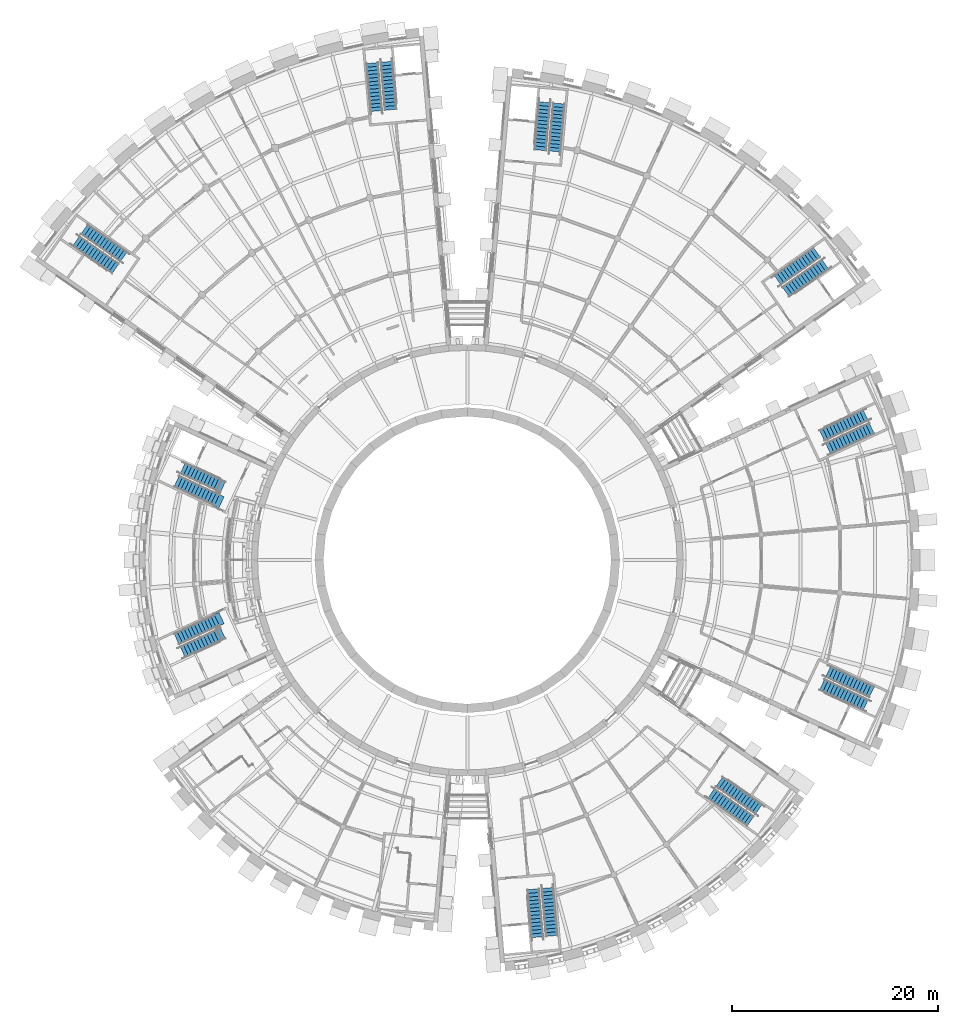
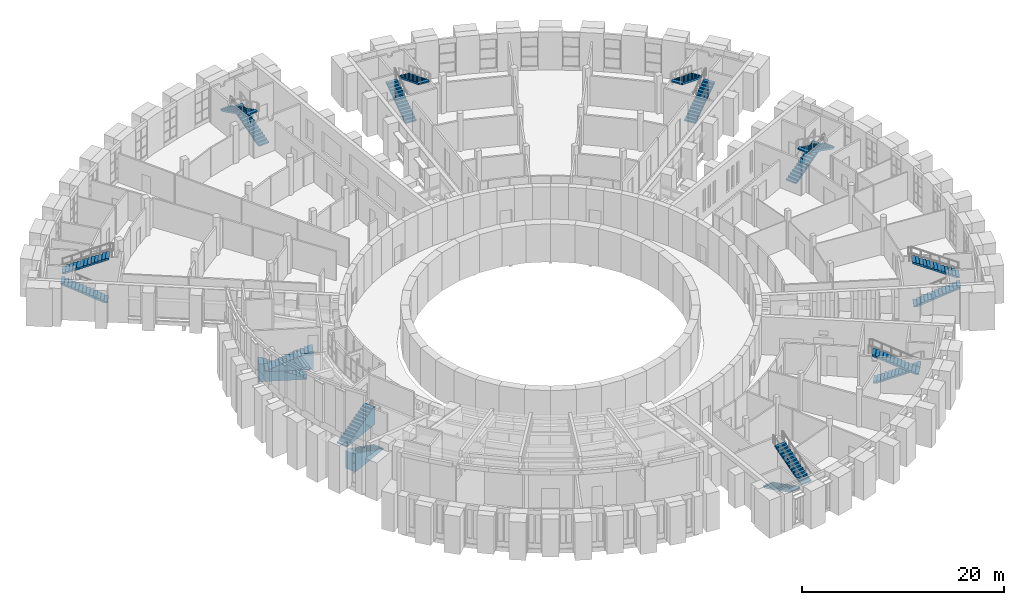
# One storey, part 50 of 66: 20 stair flights, 10 elements without a shape of their own.
"""IFC4 building model written with IfcOpenShell, lengths in metres."""

import ifcopenshell
import ifcopenshell.guid

model = None  # the IFC model being written
_history = None  # IfcOwnerHistory: only IFC2X3 demands one
_inside = {}  # id of a spatial element -> (the spatial element, [elements in it])
_under = {}  # id of a project, library or spatial element -> (it, [spatial elements below it])
_declared = {}  # id of a project -> (the project, [libraries it declares])
_typed = {}  # id of a type object -> (the type object, [elements of that type])
_made_of = {}  # id of a material, layer set ... -> (it, [elements and type objects made of it])


def new_model(schema):
    """Start an empty IFC model of exactly this schema.

    Asked for "IFC4X3", IfcOpenShell would pick the latest addendum, in which some entities
    have other attributes; the version numbers below select the first issue.
    IFC2X3 requires an IfcOwnerHistory on every rooted entity: one is made here for all.
    """
    global model, _history
    if schema == "IFC4X3":
        model = ifcopenshell.file(schema_version=(4, 3, 0, 0))
    else:
        model = ifcopenshell.file(schema=schema)
    _inside.clear()
    _under.clear()
    _declared.clear()
    _typed.clear()
    _made_of.clear()
    _history = None
    if model.schema == "IFC2X3":
        org = make("IfcOrganization", Name="unknown")
        user = make(
            "IfcPersonAndOrganization",
            ThePerson=make("IfcPerson", FamilyName="unknown"),
            TheOrganization=org,
        )
        app = make(
            "IfcApplication",
            ApplicationDeveloper=org,
            Version="unknown",
            ApplicationFullName="unknown",
            ApplicationIdentifier="unknown",
        )
        _history = make(
            "IfcOwnerHistory",
            OwningUser=user,
            OwningApplication=app,
            ChangeAction="ADDED",
            CreationDate=0,
        )
    return model


def make(cls, **values):
    """One entity of the class cls with the attributes given. An attribute that is None is left unset."""
    return model.create_entity(
        cls, **{name: value for name, value in values.items() if value is not None}
    )


def rooted(cls, **values):
    """An entity with a GlobalId (a new one), such as an element, a storey or a relation."""
    return make(cls, GlobalId=ifcopenshell.guid.new(), OwnerHistory=_history, **values)


def si_unit(unit_type, name, prefix=None):
    """IfcSIUnit, for example si_unit("LENGTHUNIT", "METRE", prefix="MILLI")."""
    return make("IfcSIUnit", UnitType=unit_type, Prefix=prefix, Name=name)


def assignment(units):
    """IfcUnitAssignment: the units of a project."""
    return None if units is None else make("IfcUnitAssignment", Units=units)


def point(xyz):
    """IfcCartesianPoint."""
    return None if xyz is None else make("IfcCartesianPoint", Coordinates=xyz)


def direction(xyz):
    """IfcDirection."""
    return None if xyz is None else make("IfcDirection", DirectionRatios=xyz)


def frame(location, z_axis=None, x_axis=None):
    """IfcAxis2Placement3D, a coordinate frame: its origin and axes. An axis left out is left unset."""
    return make(
        "IfcAxis2Placement3D",
        Location=point(location),
        Axis=direction(z_axis),
        RefDirection=direction(x_axis),
    )


def origin():
    """The frame at (0, 0, 0) with its axes left unset."""
    return frame((0.0, 0.0, 0.0))


def place(relative_to, where):
    """IfcLocalPlacement: puts the frame where relative to a parent placement (None: the world)."""
    return make(
        "IfcLocalPlacement", PlacementRelTo=relative_to, RelativePlacement=where
    )


def context(
    kind, dimensions, precision=None, world=None, true_north=None, identifier=None
):
    """IfcGeometricRepresentationContext, for example the 3D "Model" context."""
    return make(
        "IfcGeometricRepresentationContext",
        ContextIdentifier=identifier,
        ContextType=kind,
        CoordinateSpaceDimension=dimensions,
        Precision=precision,
        WorldCoordinateSystem=world,
        TrueNorth=true_north,
    )


def subcontext(parent, identifier, kind, view, scale=None):
    """IfcGeometricRepresentationSubContext, for example "Body" below "Model"."""
    return make(
        "IfcGeometricRepresentationSubContext",
        ContextIdentifier=identifier,
        ContextType=kind,
        ParentContext=parent,
        TargetScale=scale,
        TargetView=view,
    )


def project(units=None, contexts=None):
    """IfcProject with its units and contexts."""
    return rooted(
        "IfcProject",
        Name="project",
        RepresentationContexts=contexts,
        UnitsInContext=assignment(units),
    )


def spatial(cls, under=None, at=None, **own):
    """A site, building, storey or space (cls), placed at a placement, below another one or the project."""
    s = rooted(cls, ObjectPlacement=at, **own)
    if under is not None:
        _under.setdefault(under.id(), (under, []))[1].append(s)
    return s


def polyline(points):
    """IfcPolyline through the points."""
    return make("IfcPolyline", Points=[point(p) for p in points])


def outline(outer, holes=None, kind="AREA"):
    """IfcArbitraryClosedProfileDef: a profile drawn as a closed curve; with holes, ...WithVoids."""
    if holes is None:
        return make("IfcArbitraryClosedProfileDef", ProfileType=kind, OuterCurve=outer)
    return make(
        "IfcArbitraryProfileDefWithVoids",
        ProfileType=kind,
        OuterCurve=outer,
        InnerCurves=holes,
    )


def extrude(swept, where, along, depth):
    """IfcExtrudedAreaSolid: the profile swept, set in the frame where, extruded along a direction by depth."""
    return make(
        "IfcExtrudedAreaSolid",
        SweptArea=swept,
        Position=where,
        ExtrudedDirection=direction(along),
        Depth=depth,
    )


def shape(context_of_items, identifier, shape_type, items):
    """IfcShapeRepresentation: the items that make up one representation, for example the "Body"."""
    return make(
        "IfcShapeRepresentation",
        ContextOfItems=context_of_items,
        RepresentationIdentifier=identifier,
        RepresentationType=shape_type,
        Items=items,
    )


def material(Name=None, Category=None):
    """IfcMaterial."""
    return make("IfcMaterial", Name=Name, Category=Category)


def made_of(thing, what):
    """Note that an element or type object is made of a material, layer set ...; save() writes the relation."""
    if what is not None:
        _made_of.setdefault(what.id(), (what, []))[1].append(thing)
    return thing


def type_object(cls, material=None, **own):
    """A type object (cls), such as IfcWallType, which elements share."""
    return made_of(rooted(cls, **own), material)


def element(
    cls,
    number,
    at=None,
    inside=None,
    cuts=None,
    type_object=None,
    material=None,
    context=None,
    identifier="Body",
    shape_type=None,
    held_by="IfcProductDefinitionShape",
    body=None,
    shapes=None,
    **own,
):
    """One element of the class cls, such as IfcWall. Its Tag is "e" and its number.

    at: its placement. inside: the storey or other place that contains it. cuts: it is an
    opening in that element (IfcRelVoidsElement). A single representation is given by context,
    identifier, shape_type and body (its items); several are given by shapes. held_by: the class
    of the entity that holds the representations. save() writes the other relations.
    """
    e = rooted(cls, Tag="e%d" % number, ObjectPlacement=at, **own)
    if body is not None:
        shapes = [shape(context, identifier, shape_type, body)]
    if shapes is not None:
        e.Representation = make(held_by, Representations=shapes)
    if inside is not None:
        _inside.setdefault(inside.id(), (inside, []))[1].append(e)
    if cuts is not None:
        rooted(
            "IfcRelVoidsElement", RelatingBuildingElement=cuts, RelatedOpeningElement=e
        )
    if type_object is not None:
        _typed.setdefault(type_object.id(), (type_object, []))[1].append(e)
    return made_of(e, material)


def aggregate(whole, parts):
    """IfcRelAggregates: a whole, such as a stair, and the parts it consists of."""
    return rooted("IfcRelAggregates", RelatingObject=whole, RelatedObjects=parts)


def save(model, path):
    """Write the relations noted so far, then the file.

    IfcRelAggregates (storeys below a building ...), IfcRelContainedInSpatialStructure (elements
    in a storey), IfcRelDefinesByType, IfcRelAssociatesMaterial and IfcRelDeclares: one each for
    every whole, place, type object, material and project.
    """
    for whole, parts in _under.values():
        aggregate(whole, parts)
    for where, things in _inside.values():
        rooted(
            "IfcRelContainedInSpatialStructure",
            RelatedElements=things,
            RelatingStructure=where,
        )
    for kind, things in _typed.values():
        rooted("IfcRelDefinesByType", RelatedObjects=things, RelatingType=kind)
    for what, things in _made_of.values():
        rooted("IfcRelAssociatesMaterial", RelatedObjects=things, RelatingMaterial=what)
    for by, libraries in _declared.values():
        rooted("IfcRelDeclares", RelatingContext=by, RelatedDefinitions=libraries)
    model.write(path)


model = new_model("IFC4")

# Units and contexts
model_context = context("Model", 3, precision=1e-05, world=origin(), true_north=direction((0.0, 1.0)))
body_context = subcontext(model_context, "Body", "Model", "MODEL_VIEW")
ifc_project = project(units=[si_unit("LENGTHUNIT", "METRE"), si_unit("AREAUNIT", "SQUARE_METRE"), si_unit("VOLUMEUNIT", "CUBIC_METRE"), si_unit("PLANEANGLEUNIT", "RADIAN"), si_unit("MASSUNIT", "GRAM", prefix="KILO")], contexts=[model_context])

# Site, building, storey
site_placement = place(None, origin())
site = spatial("IfcSite", under=ifc_project, at=site_placement, CompositionType="ELEMENT")
building_placement = place(site_placement, origin())
building = spatial("IfcBuilding", under=site, at=building_placement, Name="Volute Hill Aquarium", CompositionType="ELEMENT")
storey_placement = place(building_placement, frame((0.0, 0.0, 4.60009765625)))
storey = spatial("IfcBuildingStorey", under=building, at=storey_placement, Name="L02", CompositionType="ELEMENT", Elevation=4.60009765625)

# Stair, stair flights
ifc_material_1 = material(Name="Concrete C35/45", Category="concrete")
stair_type = type_object("IfcStairType", Name="Stair C35/45", PredefinedType="HALF_TURN_STAIR", material=ifc_material_1)
stair_1_placement = place(storey_placement, origin())
stair_1 = element("IfcStair", 1, at=stair_1_placement, inside=storey, type_object=stair_type, Name="ST/S1-A/L02", PredefinedType="HALF_TURN_STAIR")
ifc_material_2 = material(Name="Concrete C35/45", Category="concrete")
stair_flight_type = type_object("IfcStairFlightType", Name="Stair flight C35/45", PredefinedType="STRAIGHT", material=ifc_material_2)
stair_flight_1_placement = place(storey_placement, frame((-23.771240234375, 7.112548828125, 0.0), z_axis=(0.0, 0.0, 1.0), x_axis=(-0.906300859523, 0.422633117524, 0.0)))
stair_flight_1 = element("IfcStairFlight", 2, at=stair_flight_1_placement, type_object=stair_flight_type, Name="ST-S1-A-02 flight 1", PredefinedType="STRAIGHT", context=body_context, shape_type="SweptSolid", body=[
    extrude(outline(polyline([(0.0, 0.0), (4.820068359375, 0.0), (4.820068359375, 2.159912109375), (4.320068359375, 2.159912109375), (4.320068359375, 1.99365234375), (3.9599609375, 1.99365234375), (3.9599609375, 1.82763671875), (3.60009765625, 1.82763671875), (3.60009765625, 1.661376953125), (3.239990234375, 1.661376953125), (3.239990234375, 1.495361328125), (2.8798828125, 1.495361328125), (2.8798828125, 1.3291015625), (2.52001953125, 1.3291015625), (2.52001953125, 1.1630859375), (2.159912109375, 1.1630859375), (2.159912109375, 0.996826171875), (1.800048828125, 0.996826171875), (1.800048828125, 0.830810546875), (1.43994140625, 0.830810546875), (1.43994140625, 0.66455078125), (1.080078125, 0.66455078125), (1.080078125, 0.498291015625), (0.719970703125, 0.498291015625), (0.719970703125, 0.332275390625), (0.360107421875, 0.332275390625), (0.360107421875, 0.166015625), (0.0, 0.166015625), (0.0, 0.0), (0.0, 0.0)])), frame((0.0, 0.60009765625, 0.0), z_axis=(0.0, -1.0, 0.0), x_axis=(1.0, 0.0, 0.0)), (0.0, 0.0, 1.0), 1.199951171875),
])
stair_flight_2_placement = place(storey_placement, frame((-28.2783203125, 7.66943359375, 2.159912109375), z_axis=(0.0, 0.0, 1.0), x_axis=(0.906300859523, -0.422633117524, 0.0)))
stair_flight_2 = element("IfcStairFlight", 3, at=stair_flight_2_placement, type_object=stair_flight_type, Name="ST-S1-A-02 flight 2", PredefinedType="STRAIGHT", context=body_context, shape_type="SweptSolid", body=[
    extrude(outline(polyline([(0.0, 0.0), (4.820068359375, 0.0), (4.820068359375, 2.159912109375), (4.320068359375, 2.159912109375), (4.320068359375, 1.993896484375), (3.9599609375, 1.993896484375), (3.9599609375, 1.82763671875), (3.60009765625, 1.82763671875), (3.60009765625, 1.661376953125), (3.239990234375, 1.661376953125), (3.239990234375, 1.495361328125), (2.8798828125, 1.495361328125), (2.8798828125, 1.3291015625), (2.52001953125, 1.3291015625), (2.52001953125, 1.1630859375), (2.159912109375, 1.1630859375), (2.159912109375, 0.996826171875), (1.800048828125, 0.996826171875), (1.800048828125, 0.830810546875), (1.43994140625, 0.830810546875), (1.43994140625, 0.66455078125), (1.080078125, 0.66455078125), (1.080078125, 0.49853515625), (0.719970703125, 0.49853515625), (0.719970703125, 0.332275390625), (0.360107421875, 0.332275390625), (0.360107421875, 0.166259765625), (0.0, 0.166259765625), (0.0, 0.0), (0.0, 0.0)])), frame((0.0, 0.60009765625, 0.0), z_axis=(0.0, -1.0, 0.0), x_axis=(1.0, 0.0, 0.0)), (0.0, 0.0, 1.0), 1.199951171875),
])
aggregate(stair_1, [stair_flight_1, stair_flight_2])

stair_2_placement = place(storey_placement, origin())
stair_2 = element("IfcStair", 4, at=stair_2_placement, inside=storey, type_object=stair_type, Name="ST/S1-B/L02", PredefinedType="HALF_TURN_STAIR")
stair_flight_3_placement = place(storey_placement, frame((-23.771240234375, -7.112548828125, 0.0), z_axis=(0.0, 0.0, 1.0), x_axis=(-0.906300859523, -0.422633117524, 0.0)))
stair_flight_3 = element("IfcStairFlight", 5, at=stair_flight_3_placement, type_object=stair_flight_type, Name="ST-S1-B-02 flight 1", PredefinedType="STRAIGHT", context=body_context, shape_type="SweptSolid", body=[
    extrude(outline(polyline([(0.0, 0.0), (4.820068359375, 0.0), (4.820068359375, 2.159912109375), (4.320068359375, 2.159912109375), (4.320068359375, 1.99365234375), (3.9599609375, 1.99365234375), (3.9599609375, 1.82763671875), (3.60009765625, 1.82763671875), (3.60009765625, 1.661376953125), (3.239990234375, 1.661376953125), (3.239990234375, 1.495361328125), (2.8798828125, 1.495361328125), (2.8798828125, 1.3291015625), (2.52001953125, 1.3291015625), (2.52001953125, 1.1630859375), (2.159912109375, 1.1630859375), (2.159912109375, 0.996826171875), (1.800048828125, 0.996826171875), (1.800048828125, 0.830810546875), (1.43994140625, 0.830810546875), (1.43994140625, 0.66455078125), (1.080078125, 0.66455078125), (1.080078125, 0.498291015625), (0.719970703125, 0.498291015625), (0.719970703125, 0.332275390625), (0.360107421875, 0.332275390625), (0.360107421875, 0.166015625), (0.0, 0.166015625), (0.0, 0.0), (0.0, 0.0)])), frame((0.0, 0.60009765625, 0.0), z_axis=(0.0, -1.0, 0.0), x_axis=(1.0, 0.0, 0.0)), (0.0, 0.0, 1.0), 1.199951171875),
])
stair_flight_4_placement = place(storey_placement, frame((-28.2783203125, -7.66943359375, 2.159912109375), z_axis=(0.0, 0.0, 1.0), x_axis=(0.906300859523, 0.422633117524, 0.0)))
stair_flight_4 = element("IfcStairFlight", 6, at=stair_flight_4_placement, type_object=stair_flight_type, Name="ST-S1-B-02 flight 2", PredefinedType="STRAIGHT", context=body_context, shape_type="SweptSolid", body=[
    extrude(outline(polyline([(0.0, 0.0), (4.820068359375, 0.0), (4.820068359375, 2.159912109375), (4.320068359375, 2.159912109375), (4.320068359375, 1.993896484375), (3.9599609375, 1.993896484375), (3.9599609375, 1.82763671875), (3.60009765625, 1.82763671875), (3.60009765625, 1.661376953125), (3.239990234375, 1.661376953125), (3.239990234375, 1.495361328125), (2.8798828125, 1.495361328125), (2.8798828125, 1.3291015625), (2.52001953125, 1.3291015625), (2.52001953125, 1.1630859375), (2.159912109375, 1.1630859375), (2.159912109375, 0.996826171875), (1.800048828125, 0.996826171875), (1.800048828125, 0.830810546875), (1.43994140625, 0.830810546875), (1.43994140625, 0.66455078125), (1.080078125, 0.66455078125), (1.080078125, 0.49853515625), (0.719970703125, 0.49853515625), (0.719970703125, 0.332275390625), (0.360107421875, 0.332275390625), (0.360107421875, 0.166259765625), (0.0, 0.166259765625), (0.0, 0.0), (0.0, 0.0)])), frame((0.0, 0.60009765625, 0.0), z_axis=(0.0, -1.0, 0.0), x_axis=(1.0, 0.0, 0.0)), (0.0, 0.0, 1.0), 1.199951171875),
])
aggregate(stair_2, [stair_flight_3, stair_flight_4])

stair_3_placement = place(storey_placement, origin())
stair_3 = element("IfcStair", 7, at=stair_3_placement, inside=storey, type_object=stair_type, Name="ST/S3-A/L02", PredefinedType="HALF_TURN_STAIR")
stair_flight_5_placement = place(storey_placement, frame((6.41455078125, -32.0126953125, 0.0), z_axis=(0.0, 0.0, 1.0), x_axis=(0.087199203008, -0.996190894856, 0.0)))
stair_flight_5 = element("IfcStairFlight", 8, at=stair_flight_5_placement, type_object=stair_flight_type, Name="ST-S3-A-02 flight 1", NumberOfRisers=14, NumberOfTreads=13, PredefinedType="STRAIGHT", RiserHeight=0.164285714, TreadLength=0.36, context=body_context, shape_type="SweptSolid", body=[
    extrude(outline(polyline([(0.0, 0.0), (0.0, 0.164306640625), (0.360107421875, 0.164306640625), (0.360107421875, 0.32861328125), (0.719970703125, 0.32861328125), (0.719970703125, 0.492919921875), (1.080078125, 0.492919921875), (1.080078125, 0.6572265625), (1.43994140625, 0.6572265625), (1.43994140625, 0.821533203125), (1.800048828125, 0.821533203125), (1.800048828125, 0.985595703125), (2.159912109375, 0.985595703125), (2.159912109375, 1.14990234375), (2.52001953125, 1.14990234375), (2.52001953125, 1.314208984375), (2.8798828125, 1.314208984375), (2.8798828125, 1.478515625), (3.239990234375, 1.478515625), (3.239990234375, 1.642822265625), (3.60009765625, 1.642822265625), (3.60009765625, 1.80712890625), (3.9599609375, 1.80712890625), (3.9599609375, 1.971435546875), (4.320068359375, 1.971435546875), (4.320068359375, 2.1357421875), (4.679931640625, 2.1357421875), (4.679931640625, 2.300048828125), (4.679931640625, 1.970947265625), (0.361083984375, 0.0), (0.0, 0.0)])), frame((0.0, 0.60009765625, 0.0), z_axis=(0.0, -1.0, 0.0), x_axis=(1.0, 0.0, 0.0)), (0.0, 0.0, 1.0), 1.199951171875),
])
stair_flight_6_placement = place(storey_placement, frame((8.217041015625, -36.552978515625, 2.2998046875), z_axis=(0.0, 0.0, 1.0), x_axis=(-0.087199203008, 0.996190894856, 0.0)))
stair_flight_6 = element("IfcStairFlight", 9, at=stair_flight_6_placement, type_object=stair_flight_type, Name="ST-S3-A-02 flight 2", NumberOfRisers=14, NumberOfTreads=13, PredefinedType="STRAIGHT", RiserHeight=0.164285714, TreadLength=0.36, context=body_context, shape_type="SweptSolid", body=[
    extrude(outline(polyline([(0.0, 0.0), (0.0, 0.164306640625), (0.360107421875, 0.164306640625), (0.360107421875, 0.32861328125), (0.719970703125, 0.32861328125), (0.719970703125, 0.492919921875), (1.080078125, 0.492919921875), (1.080078125, 0.6572265625), (1.43994140625, 0.6572265625), (1.43994140625, 0.821533203125), (1.800048828125, 0.821533203125), (1.800048828125, 0.985595703125), (2.159912109375, 0.985595703125), (2.159912109375, 1.14990234375), (2.52001953125, 1.14990234375), (2.52001953125, 1.314208984375), (2.8798828125, 1.314208984375), (2.8798828125, 1.478515625), (3.239990234375, 1.478515625), (3.239990234375, 1.642822265625), (3.60009765625, 1.642822265625), (3.60009765625, 1.80712890625), (3.9599609375, 1.80712890625), (3.9599609375, 1.971435546875), (4.320068359375, 1.971435546875), (4.320068359375, 2.1357421875), (4.679931640625, 2.1357421875), (4.679931640625, 2.300048828125), (4.679931640625, 1.970947265625), (0.361083984375, 0.0), (0.0, 0.0)])), frame((0.0, 0.60009765625, 0.0), z_axis=(0.0, -1.0, 0.0), x_axis=(1.0, 0.0, 0.0)), (0.0, 0.0, 1.0), 1.199951171875),
])
aggregate(stair_3, [stair_flight_5, stair_flight_6])

stair_4_placement = place(storey_placement, origin())
stair_4 = element("IfcStair", 10, at=stair_4_placement, inside=storey, type_object=stair_type, Name="ST/S3-B/L02", PredefinedType="HALF_TURN_STAIR")
stair_flight_7_placement = place(storey_placement, frame((24.5166015625, -21.5615234375, 0.0), z_axis=(0.0, 0.0, 1.0), x_axis=(0.81912384914, -0.573616701091, 0.0)))
stair_flight_7 = element("IfcStairFlight", 11, at=stair_flight_7_placement, type_object=stair_flight_type, Name="ST-S3-B-02 flight 1", NumberOfRisers=14, NumberOfTreads=13, PredefinedType="STRAIGHT", RiserHeight=0.164285714, TreadLength=0.36, context=body_context, shape_type="SweptSolid", body=[
    extrude(outline(polyline([(0.0, 0.0), (0.0, 0.164306640625), (0.360107421875, 0.164306640625), (0.360107421875, 0.32861328125), (0.719970703125, 0.32861328125), (0.719970703125, 0.492919921875), (1.080078125, 0.492919921875), (1.080078125, 0.6572265625), (1.43994140625, 0.6572265625), (1.43994140625, 0.821533203125), (1.800048828125, 0.821533203125), (1.800048828125, 0.985595703125), (2.159912109375, 0.985595703125), (2.159912109375, 1.14990234375), (2.52001953125, 1.14990234375), (2.52001953125, 1.314208984375), (2.8798828125, 1.314208984375), (2.8798828125, 1.478515625), (3.239990234375, 1.478515625), (3.239990234375, 1.642822265625), (3.60009765625, 1.642822265625), (3.60009765625, 1.80712890625), (3.9599609375, 1.80712890625), (3.9599609375, 1.971435546875), (4.320068359375, 1.971435546875), (4.320068359375, 2.1357421875), (4.679931640625, 2.1357421875), (4.679931640625, 2.300048828125), (4.679931640625, 1.970947265625), (0.361083984375, 0.0), (0.0, 0.0)])), frame((0.0, 0.60009765625, 0.0), z_axis=(0.0, -1.0, 0.0), x_axis=(1.0, 0.0, 0.0)), (0.0, 0.0, 1.0), 1.199951171875),
])
stair_flight_8_placement = place(storey_placement, frame((27.547119140625, -25.392578125, 2.2998046875), z_axis=(0.0, 0.0, 1.0), x_axis=(-0.81912384914, 0.573616701091, 0.0)))
stair_flight_8 = element("IfcStairFlight", 12, at=stair_flight_8_placement, type_object=stair_flight_type, Name="ST-S3-B-02 flight 2", NumberOfRisers=14, NumberOfTreads=13, PredefinedType="STRAIGHT", RiserHeight=0.164285714, TreadLength=0.36, context=body_context, shape_type="SweptSolid", body=[
    extrude(outline(polyline([(0.0, 0.0), (0.0, 0.164306640625), (0.360107421875, 0.164306640625), (0.360107421875, 0.32861328125), (0.719970703125, 0.32861328125), (0.719970703125, 0.492919921875), (1.080078125, 0.492919921875), (1.080078125, 0.6572265625), (1.43994140625, 0.6572265625), (1.43994140625, 0.821533203125), (1.800048828125, 0.821533203125), (1.800048828125, 0.985595703125), (2.159912109375, 0.985595703125), (2.159912109375, 1.14990234375), (2.52001953125, 1.14990234375), (2.52001953125, 1.314208984375), (2.8798828125, 1.314208984375), (2.8798828125, 1.478515625), (3.239990234375, 1.478515625), (3.239990234375, 1.642822265625), (3.60009765625, 1.642822265625), (3.60009765625, 1.80712890625), (3.9599609375, 1.80712890625), (3.9599609375, 1.971435546875), (4.320068359375, 1.971435546875), (4.320068359375, 2.1357421875), (4.679931640625, 2.1357421875), (4.679931640625, 2.300048828125), (4.679931640625, 1.970947265625), (0.361083984375, 0.0), (0.0, 0.0)])), frame((0.0, 0.60009765625, 0.0), z_axis=(0.0, -1.0, 0.0), x_axis=(1.0, 0.0, 0.0)), (0.0, 0.0, 1.0), 1.199951171875),
])
aggregate(stair_4, [stair_flight_7, stair_flight_8])

stair_5_placement = place(storey_placement, origin())
stair_5 = element("IfcStair", 13, at=stair_5_placement, inside=storey, type_object=stair_type, Name="ST/S4-A/L02", PredefinedType="HALF_TURN_STAIR")
stair_flight_9_placement = place(storey_placement, frame((34.510986328125, -12.12060546875, 0.0), z_axis=(0.0, 0.0, 1.0), x_axis=(0.906313390882, -0.422606244047, 0.0)))
stair_flight_9 = element("IfcStairFlight", 14, at=stair_flight_9_placement, type_object=stair_flight_type, Name="ST-S4-A-02 flight 1", NumberOfRisers=14, NumberOfTreads=13, PredefinedType="STRAIGHT", RiserHeight=0.164285714, TreadLength=0.36, context=body_context, shape_type="SweptSolid", body=[
    extrude(outline(polyline([(0.0, 0.0), (0.0, 0.164306640625), (0.360107421875, 0.164306640625), (0.360107421875, 0.32861328125), (0.719970703125, 0.32861328125), (0.719970703125, 0.492919921875), (1.080078125, 0.492919921875), (1.080078125, 0.6572265625), (1.43994140625, 0.6572265625), (1.43994140625, 0.821533203125), (1.800048828125, 0.821533203125), (1.800048828125, 0.985595703125), (2.159912109375, 0.985595703125), (2.159912109375, 1.14990234375), (2.52001953125, 1.14990234375), (2.52001953125, 1.314208984375), (2.8798828125, 1.314208984375), (2.8798828125, 1.478515625), (3.239990234375, 1.478515625), (3.239990234375, 1.642822265625), (3.60009765625, 1.642822265625), (3.60009765625, 1.80712890625), (3.9599609375, 1.80712890625), (3.9599609375, 1.971435546875), (4.320068359375, 1.971435546875), (4.320068359375, 2.1357421875), (4.679931640625, 2.1357421875), (4.679931640625, 2.300048828125), (4.679931640625, 1.970947265625), (0.361083984375, 0.0), (0.0, 0.0)])), frame((0.0, 0.60009765625, 0.0), z_axis=(0.0, -1.0, 0.0), x_axis=(1.0, 0.0, 0.0)), (0.0, 0.0, 1.0), 1.199951171875),
])
stair_flight_10_placement = place(storey_placement, frame((39.34423828125, -12.82958984375, 2.2998046875), z_axis=(0.0, 0.0, 1.0), x_axis=(-0.906313390882, 0.422606244047, 0.0)))
stair_flight_10 = element("IfcStairFlight", 15, at=stair_flight_10_placement, type_object=stair_flight_type, Name="ST-S4-A-02 flight 2", NumberOfRisers=14, NumberOfTreads=13, PredefinedType="STRAIGHT", RiserHeight=0.164285714, TreadLength=0.36, context=body_context, shape_type="SweptSolid", body=[
    extrude(outline(polyline([(0.0, 0.0), (0.0, 0.164306640625), (0.360107421875, 0.164306640625), (0.360107421875, 0.32861328125), (0.719970703125, 0.32861328125), (0.719970703125, 0.492919921875), (1.080078125, 0.492919921875), (1.080078125, 0.6572265625), (1.43994140625, 0.6572265625), (1.43994140625, 0.821533203125), (1.800048828125, 0.821533203125), (1.800048828125, 0.985595703125), (2.159912109375, 0.985595703125), (2.159912109375, 1.14990234375), (2.52001953125, 1.14990234375), (2.52001953125, 1.314208984375), (2.8798828125, 1.314208984375), (2.8798828125, 1.478515625), (3.239990234375, 1.478515625), (3.239990234375, 1.642822265625), (3.60009765625, 1.642822265625), (3.60009765625, 1.80712890625), (3.9599609375, 1.80712890625), (3.9599609375, 1.971435546875), (4.320068359375, 1.971435546875), (4.320068359375, 2.1357421875), (4.679931640625, 2.1357421875), (4.679931640625, 2.300048828125), (4.679931640625, 1.970947265625), (0.361083984375, 0.0), (0.0, 0.0)])), frame((0.0, 0.60009765625, 0.0), z_axis=(0.0, -1.0, 0.0), x_axis=(1.0, 0.0, 0.0)), (0.0, 0.0, 1.0), 1.199951171875),
])
aggregate(stair_5, [stair_flight_9, stair_flight_10])

stair_6_placement = place(storey_placement, origin())
stair_6 = element("IfcStair", 16, at=stair_6_placement, inside=storey, type_object=stair_type, Name="ST/S4-B/L02", PredefinedType="HALF_TURN_STAIR")
stair_flight_11_placement = place(storey_placement, frame((34.510986328125, 12.12060546875, 0.0), z_axis=(0.0, 0.0, 1.0), x_axis=(0.906313390882, 0.422606244047, 0.0)))
stair_flight_11 = element("IfcStairFlight", 17, at=stair_flight_11_placement, type_object=stair_flight_type, Name="ST-S4-B-02 flight 1", NumberOfRisers=14, NumberOfTreads=13, PredefinedType="STRAIGHT", RiserHeight=0.164285714, TreadLength=0.36, context=body_context, shape_type="SweptSolid", body=[
    extrude(outline(polyline([(0.0, 0.0), (0.0, 0.164306640625), (0.360107421875, 0.164306640625), (0.360107421875, 0.32861328125), (0.719970703125, 0.32861328125), (0.719970703125, 0.492919921875), (1.080078125, 0.492919921875), (1.080078125, 0.6572265625), (1.43994140625, 0.6572265625), (1.43994140625, 0.821533203125), (1.800048828125, 0.821533203125), (1.800048828125, 0.985595703125), (2.159912109375, 0.985595703125), (2.159912109375, 1.14990234375), (2.52001953125, 1.14990234375), (2.52001953125, 1.314208984375), (2.8798828125, 1.314208984375), (2.8798828125, 1.478515625), (3.239990234375, 1.478515625), (3.239990234375, 1.642822265625), (3.60009765625, 1.642822265625), (3.60009765625, 1.80712890625), (3.9599609375, 1.80712890625), (3.9599609375, 1.971435546875), (4.320068359375, 1.971435546875), (4.320068359375, 2.1357421875), (4.679931640625, 2.1357421875), (4.679931640625, 2.300048828125), (4.679931640625, 1.970947265625), (0.361083984375, 0.0), (0.0, 0.0)])), frame((0.0, 0.60009765625, 0.0), z_axis=(0.0, -1.0, 0.0), x_axis=(1.0, 0.0, 0.0)), (0.0, 0.0, 1.0), 1.199951171875),
])
stair_flight_12_placement = place(storey_placement, frame((39.34423828125, 12.82958984375, 2.2998046875), z_axis=(0.0, 0.0, 1.0), x_axis=(-0.906313390882, -0.422606244047, 0.0)))
stair_flight_12 = element("IfcStairFlight", 18, at=stair_flight_12_placement, type_object=stair_flight_type, Name="ST-S4-B-02 flight 2", NumberOfRisers=14, NumberOfTreads=13, PredefinedType="STRAIGHT", RiserHeight=0.164285714, TreadLength=0.36, context=body_context, shape_type="SweptSolid", body=[
    extrude(outline(polyline([(0.0, 0.0), (0.0, 0.164306640625), (0.360107421875, 0.164306640625), (0.360107421875, 0.32861328125), (0.719970703125, 0.32861328125), (0.719970703125, 0.492919921875), (1.080078125, 0.492919921875), (1.080078125, 0.6572265625), (1.43994140625, 0.6572265625), (1.43994140625, 0.821533203125), (1.800048828125, 0.821533203125), (1.800048828125, 0.985595703125), (2.159912109375, 0.985595703125), (2.159912109375, 1.14990234375), (2.52001953125, 1.14990234375), (2.52001953125, 1.314208984375), (2.8798828125, 1.314208984375), (2.8798828125, 1.478515625), (3.239990234375, 1.478515625), (3.239990234375, 1.642822265625), (3.60009765625, 1.642822265625), (3.60009765625, 1.80712890625), (3.9599609375, 1.80712890625), (3.9599609375, 1.971435546875), (4.320068359375, 1.971435546875), (4.320068359375, 2.1357421875), (4.679931640625, 2.1357421875), (4.679931640625, 2.300048828125), (4.679931640625, 1.970947265625), (0.361083984375, 0.0), (0.0, 0.0)])), frame((0.0, 0.60009765625, 0.0), z_axis=(0.0, -1.0, 0.0), x_axis=(1.0, 0.0, 0.0)), (0.0, 0.0, 1.0), 1.199951171875),
])
aggregate(stair_6, [stair_flight_11, stair_flight_12])

stair_7_placement = place(storey_placement, origin())
stair_7 = element("IfcStair", 19, at=stair_7_placement, inside=storey, type_object=stair_type, Name="ST/S5-A/L02", PredefinedType="HALF_TURN_STAIR")
stair_flight_13_placement = place(storey_placement, frame((30.98779296875, 26.0927734375, 0.0), z_axis=(0.0, 0.0, 1.0), x_axis=(0.81912384914, 0.573616701091, 0.0)))
stair_flight_13 = element("IfcStairFlight", 20, at=stair_flight_13_placement, type_object=stair_flight_type, Name="ST-S5-A-02 flight 1", NumberOfRisers=14, NumberOfTreads=13, PredefinedType="STRAIGHT", RiserHeight=0.164285714, TreadLength=0.36, context=body_context, shape_type="SweptSolid", body=[
    extrude(outline(polyline([(0.0, 0.0), (0.0, 0.164306640625), (0.360107421875, 0.164306640625), (0.360107421875, 0.32861328125), (0.719970703125, 0.32861328125), (0.719970703125, 0.492919921875), (1.080078125, 0.492919921875), (1.080078125, 0.6572265625), (1.43994140625, 0.6572265625), (1.43994140625, 0.821533203125), (1.800048828125, 0.821533203125), (1.800048828125, 0.985595703125), (2.159912109375, 0.985595703125), (2.159912109375, 1.14990234375), (2.52001953125, 1.14990234375), (2.52001953125, 1.314208984375), (2.8798828125, 1.314208984375), (2.8798828125, 1.478515625), (3.239990234375, 1.478515625), (3.239990234375, 1.642822265625), (3.60009765625, 1.642822265625), (3.60009765625, 1.80712890625), (3.9599609375, 1.80712890625), (3.9599609375, 1.971435546875), (4.320068359375, 1.971435546875), (4.320068359375, 2.1357421875), (4.679931640625, 2.1357421875), (4.679931640625, 2.300048828125), (4.679931640625, 1.970947265625), (0.361083984375, 0.0), (0.0, 0.0)])), frame((0.0, 0.60009765625, 0.0), z_axis=(0.0, -1.0, 0.0), x_axis=(1.0, 0.0, 0.0)), (0.0, 0.0, 1.0), 1.199951171875),
])
stair_flight_14_placement = place(storey_placement, frame((34.0185546875, 29.923828125, 2.2998046875), z_axis=(0.0, 0.0, 1.0), x_axis=(-0.81912384914, -0.573616701091, 0.0)))
stair_flight_14 = element("IfcStairFlight", 21, at=stair_flight_14_placement, type_object=stair_flight_type, Name="ST-S5-A-02 flight 2", NumberOfRisers=14, NumberOfTreads=13, PredefinedType="STRAIGHT", RiserHeight=0.164285714, TreadLength=0.36, context=body_context, shape_type="SweptSolid", body=[
    extrude(outline(polyline([(0.0, 0.0), (0.0, 0.164306640625), (0.360107421875, 0.164306640625), (0.360107421875, 0.32861328125), (0.719970703125, 0.32861328125), (0.719970703125, 0.492919921875), (1.080078125, 0.492919921875), (1.080078125, 0.6572265625), (1.43994140625, 0.6572265625), (1.43994140625, 0.821533203125), (1.800048828125, 0.821533203125), (1.800048828125, 0.985595703125), (2.159912109375, 0.985595703125), (2.159912109375, 1.14990234375), (2.52001953125, 1.14990234375), (2.52001953125, 1.314208984375), (2.8798828125, 1.314208984375), (2.8798828125, 1.478515625), (3.239990234375, 1.478515625), (3.239990234375, 1.642822265625), (3.60009765625, 1.642822265625), (3.60009765625, 1.80712890625), (3.9599609375, 1.80712890625), (3.9599609375, 1.971435546875), (4.320068359375, 1.971435546875), (4.320068359375, 2.1357421875), (4.679931640625, 2.1357421875), (4.679931640625, 2.300048828125), (4.679931640625, 1.970947265625), (0.361083984375, 0.0), (0.0, 0.0)])), frame((0.0, 0.60009765625, 0.0), z_axis=(0.0, -1.0, 0.0), x_axis=(1.0, 0.0, 0.0)), (0.0, 0.0, 1.0), 1.199951171875),
])
aggregate(stair_7, [stair_flight_13, stair_flight_14])

stair_8_placement = place(storey_placement, origin())
stair_8 = element("IfcStair", 22, at=stair_8_placement, inside=storey, type_object=stair_type, Name="ST/S5-B/L02", PredefinedType="HALF_TURN_STAIR")
stair_flight_15_placement = place(storey_placement, frame((7.10302734375, 39.8828125, 0.0), z_axis=(0.0, 0.0, 1.0), x_axis=(0.08710864073, 0.996198817862, 0.0)))
stair_flight_15 = element("IfcStairFlight", 23, at=stair_flight_15_placement, type_object=stair_flight_type, Name="ST-S5-B-02 flight 1", NumberOfRisers=14, NumberOfTreads=13, PredefinedType="STRAIGHT", RiserHeight=0.164285714, TreadLength=0.36, context=body_context, shape_type="SweptSolid", body=[
    extrude(outline(polyline([(0.0, 0.0), (0.0, 0.164306640625), (0.360107421875, 0.164306640625), (0.360107421875, 0.32861328125), (0.719970703125, 0.32861328125), (0.719970703125, 0.492919921875), (1.080078125, 0.492919921875), (1.080078125, 0.6572265625), (1.43994140625, 0.6572265625), (1.43994140625, 0.821533203125), (1.800048828125, 0.821533203125), (1.800048828125, 0.985595703125), (2.159912109375, 0.985595703125), (2.159912109375, 1.14990234375), (2.52001953125, 1.14990234375), (2.52001953125, 1.314208984375), (2.8798828125, 1.314208984375), (2.8798828125, 1.478515625), (3.239990234375, 1.478515625), (3.239990234375, 1.642822265625), (3.60009765625, 1.642822265625), (3.60009765625, 1.80712890625), (3.9599609375, 1.80712890625), (3.9599609375, 1.971435546875), (4.320068359375, 1.971435546875), (4.320068359375, 2.1357421875), (4.679931640625, 2.1357421875), (4.679931640625, 2.300048828125), (4.679931640625, 1.970947265625), (0.361083984375, 0.0), (0.0, 0.0)])), frame((0.0, 0.60009765625, 0.0), z_axis=(0.0, -1.0, 0.0), x_axis=(1.0, 0.0, 0.0)), (0.0, 0.0, 1.0), 1.199951171875),
])
stair_flight_16_placement = place(storey_placement, frame((8.905517578125, 44.4228515625, 2.2998046875), z_axis=(0.0, 0.0, 1.0), x_axis=(-0.08710864073, -0.996198817862, 0.0)))
stair_flight_16 = element("IfcStairFlight", 24, at=stair_flight_16_placement, type_object=stair_flight_type, Name="ST-S5-B-02 flight 2", NumberOfRisers=14, NumberOfTreads=13, PredefinedType="STRAIGHT", RiserHeight=0.164285714, TreadLength=0.36, context=body_context, shape_type="SweptSolid", body=[
    extrude(outline(polyline([(0.0, 0.0), (0.0, 0.164306640625), (0.360107421875, 0.164306640625), (0.360107421875, 0.32861328125), (0.719970703125, 0.32861328125), (0.719970703125, 0.492919921875), (1.080078125, 0.492919921875), (1.080078125, 0.6572265625), (1.43994140625, 0.6572265625), (1.43994140625, 0.821533203125), (1.800048828125, 0.821533203125), (1.800048828125, 0.985595703125), (2.159912109375, 0.985595703125), (2.159912109375, 1.14990234375), (2.52001953125, 1.14990234375), (2.52001953125, 1.314208984375), (2.8798828125, 1.314208984375), (2.8798828125, 1.478515625), (3.239990234375, 1.478515625), (3.239990234375, 1.642822265625), (3.60009765625, 1.642822265625), (3.60009765625, 1.80712890625), (3.9599609375, 1.80712890625), (3.9599609375, 1.971435546875), (4.320068359375, 1.971435546875), (4.320068359375, 2.1357421875), (4.679931640625, 2.1357421875), (4.679931640625, 2.300048828125), (4.679931640625, 1.970947265625), (0.361083984375, 0.0), (0.0, 0.0)])), frame((0.0, 0.60009765625, 0.0), z_axis=(0.0, -1.0, 0.0), x_axis=(1.0, 0.0, 0.0)), (0.0, 0.0, 1.0), 1.199951171875),
])
aggregate(stair_8, [stair_flight_15, stair_flight_16])

stair_9_placement = place(storey_placement, origin())
stair_9 = element("IfcStair", 25, at=stair_9_placement, inside=storey, type_object=stair_type, Name="ST/S6-A/L02", PredefinedType="HALF_TURN_STAIR")
stair_flight_17_placement = place(storey_placement, frame((-7.447265625, 43.817626953125, 0.0), z_axis=(0.0, 0.0, 1.0), x_axis=(-0.087199203008, 0.996190894856, 0.0)))
stair_flight_17 = element("IfcStairFlight", 26, at=stair_flight_17_placement, type_object=stair_flight_type, Name="ST-S6-A-02 flight 1", NumberOfRisers=14, NumberOfTreads=13, PredefinedType="STRAIGHT", RiserHeight=0.164285714, TreadLength=0.36, context=body_context, shape_type="SweptSolid", body=[
    extrude(outline(polyline([(0.0, 0.0), (0.0, 0.164306640625), (0.360107421875, 0.164306640625), (0.360107421875, 0.32861328125), (0.719970703125, 0.32861328125), (0.719970703125, 0.492919921875), (1.080078125, 0.492919921875), (1.080078125, 0.6572265625), (1.43994140625, 0.6572265625), (1.43994140625, 0.821533203125), (1.800048828125, 0.821533203125), (1.800048828125, 0.985595703125), (2.159912109375, 0.985595703125), (2.159912109375, 1.14990234375), (2.52001953125, 1.14990234375), (2.52001953125, 1.314208984375), (2.8798828125, 1.314208984375), (2.8798828125, 1.478515625), (3.239990234375, 1.478515625), (3.239990234375, 1.642822265625), (3.60009765625, 1.642822265625), (3.60009765625, 1.80712890625), (3.9599609375, 1.80712890625), (3.9599609375, 1.971435546875), (4.320068359375, 1.971435546875), (4.320068359375, 2.1357421875), (4.679931640625, 2.1357421875), (4.679931640625, 2.300048828125), (4.679931640625, 1.970947265625), (0.361083984375, 0.0), (0.0, 0.0)])), frame((0.0, 0.60009765625, 0.0), z_axis=(0.0, -1.0, 0.0), x_axis=(1.0, 0.0, 0.0)), (0.0, 0.0, 1.0), 1.199951171875),
])
stair_flight_18_placement = place(storey_placement, frame((-9.25, 48.35791015625, 2.2998046875), z_axis=(0.0, 0.0, 1.0), x_axis=(0.087199203008, -0.996190894856, 0.0)))
stair_flight_18 = element("IfcStairFlight", 27, at=stair_flight_18_placement, type_object=stair_flight_type, Name="ST-S6-A-02 flight 2", NumberOfRisers=14, NumberOfTreads=13, PredefinedType="STRAIGHT", RiserHeight=0.164285714, TreadLength=0.36, context=body_context, shape_type="SweptSolid", body=[
    extrude(outline(polyline([(0.0, 0.0), (0.0, 0.164306640625), (0.360107421875, 0.164306640625), (0.360107421875, 0.32861328125), (0.719970703125, 0.32861328125), (0.719970703125, 0.492919921875), (1.080078125, 0.492919921875), (1.080078125, 0.6572265625), (1.43994140625, 0.6572265625), (1.43994140625, 0.821533203125), (1.800048828125, 0.821533203125), (1.800048828125, 0.985595703125), (2.159912109375, 0.985595703125), (2.159912109375, 1.14990234375), (2.52001953125, 1.14990234375), (2.52001953125, 1.314208984375), (2.8798828125, 1.314208984375), (2.8798828125, 1.478515625), (3.239990234375, 1.478515625), (3.239990234375, 1.642822265625), (3.60009765625, 1.642822265625), (3.60009765625, 1.80712890625), (3.9599609375, 1.80712890625), (3.9599609375, 1.971435546875), (4.320068359375, 1.971435546875), (4.320068359375, 2.1357421875), (4.679931640625, 2.1357421875), (4.679931640625, 2.300048828125), (4.679931640625, 1.970947265625), (0.361083984375, 0.0), (0.0, 0.0)])), frame((0.0, 0.60009765625, 0.0), z_axis=(0.0, -1.0, 0.0), x_axis=(1.0, 0.0, 0.0)), (0.0, 0.0, 1.0), 1.199951171875),
])
aggregate(stair_9, [stair_flight_17, stair_flight_18])

stair_10_placement = place(storey_placement, origin())
stair_10 = element("IfcStair", 28, at=stair_10_placement, inside=storey, type_object=stair_type, Name="ST/S6-B/L02", PredefinedType="HALF_TURN_STAIR")
stair_flight_19_placement = place(storey_placement, frame((-34.2236328125, 28.3583984375, 0.0), z_axis=(0.0, 0.0, 1.0), x_axis=(-0.819203731484, 0.573502612306, 0.0)))
stair_flight_19 = element("IfcStairFlight", 29, at=stair_flight_19_placement, type_object=stair_flight_type, Name="ST-S6-B-02 flight 1", NumberOfRisers=14, NumberOfTreads=13, PredefinedType="STRAIGHT", RiserHeight=0.164285714, TreadLength=0.36, context=body_context, shape_type="SweptSolid", body=[
    extrude(outline(polyline([(0.0, 0.0), (0.0, 0.164306640625), (0.360107421875, 0.164306640625), (0.360107421875, 0.32861328125), (0.719970703125, 0.32861328125), (0.719970703125, 0.492919921875), (1.080078125, 0.492919921875), (1.080078125, 0.6572265625), (1.43994140625, 0.6572265625), (1.43994140625, 0.821533203125), (1.800048828125, 0.821533203125), (1.800048828125, 0.985595703125), (2.159912109375, 0.985595703125), (2.159912109375, 1.14990234375), (2.52001953125, 1.14990234375), (2.52001953125, 1.314208984375), (2.8798828125, 1.314208984375), (2.8798828125, 1.478515625), (3.239990234375, 1.478515625), (3.239990234375, 1.642822265625), (3.60009765625, 1.642822265625), (3.60009765625, 1.80712890625), (3.9599609375, 1.80712890625), (3.9599609375, 1.971435546875), (4.320068359375, 1.971435546875), (4.320068359375, 2.1357421875), (4.679931640625, 2.1357421875), (4.679931640625, 2.300048828125), (4.679931640625, 1.970947265625), (0.361083984375, 0.0), (0.0, 0.0)])), frame((0.0, 0.60009765625, 0.0), z_axis=(0.0, -1.0, 0.0), x_axis=(1.0, 0.0, 0.0)), (0.0, 0.0, 1.0), 1.199951171875),
])
stair_flight_20_placement = place(storey_placement, frame((-37.254150390625, 32.189453125, 2.2998046875), z_axis=(0.0, 0.0, 1.0), x_axis=(0.819203731484, -0.573502612306, 0.0)))
stair_flight_20 = element("IfcStairFlight", 30, at=stair_flight_20_placement, type_object=stair_flight_type, Name="ST-S6-B-02 flight 2", NumberOfRisers=14, NumberOfTreads=13, PredefinedType="STRAIGHT", RiserHeight=0.164285714, TreadLength=0.36, context=body_context, shape_type="SweptSolid", body=[
    extrude(outline(polyline([(0.0, 0.0), (0.0, 0.164306640625), (0.360107421875, 0.164306640625), (0.360107421875, 0.32861328125), (0.719970703125, 0.32861328125), (0.719970703125, 0.492919921875), (1.080078125, 0.492919921875), (1.080078125, 0.6572265625), (1.43994140625, 0.6572265625), (1.43994140625, 0.821533203125), (1.800048828125, 0.821533203125), (1.800048828125, 0.985595703125), (2.159912109375, 0.985595703125), (2.159912109375, 1.14990234375), (2.52001953125, 1.14990234375), (2.52001953125, 1.314208984375), (2.8798828125, 1.314208984375), (2.8798828125, 1.478515625), (3.239990234375, 1.478515625), (3.239990234375, 1.642822265625), (3.60009765625, 1.642822265625), (3.60009765625, 1.80712890625), (3.9599609375, 1.80712890625), (3.9599609375, 1.971435546875), (4.320068359375, 1.971435546875), (4.320068359375, 2.1357421875), (4.679931640625, 2.1357421875), (4.679931640625, 2.300048828125), (4.679931640625, 1.970947265625), (0.361083984375, 0.0), (0.0, 0.0)])), frame((0.0, 0.60009765625, 0.0), z_axis=(0.0, -1.0, 0.0), x_axis=(1.0, 0.0, 0.0)), (0.0, 0.0, 1.0), 1.199951171875),
])
aggregate(stair_10, [stair_flight_19, stair_flight_20])

save(model, "model.ifc")
